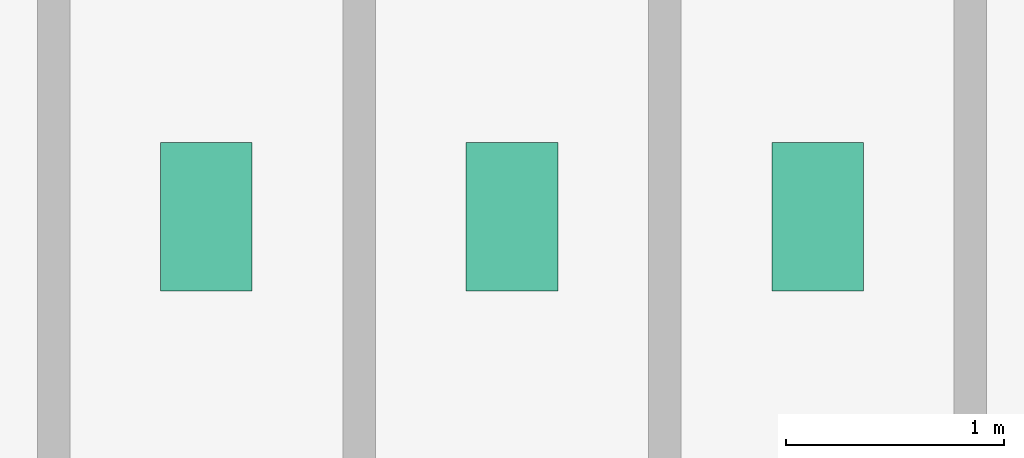
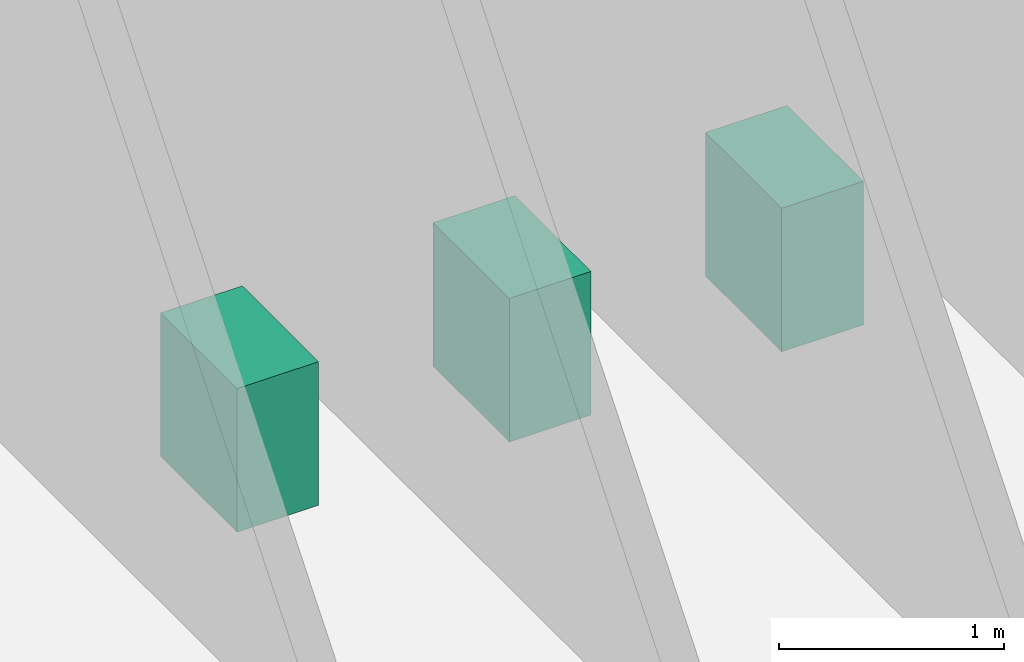
# One storey, part 39 of 39: 3 sanitary terminals.
"""IFC4 building model written with IfcOpenShell, lengths in metres."""

from ifc_helpers import new_model, si_unit, derived_unit, direction, frame, origin, origin_2d, place, context, subcontext, project, spatial, rectangle, extrude, source, transform, mapped, material, type_object, element, save


model = new_model("IFC4")

# Units and contexts
model_context = context("Model", 3, precision=1e-05, world=origin(), true_north=direction((0.0, 1.0)))
body_context = subcontext(model_context, "Body", "Model", "MODEL_VIEW")
ifc_project = project(units=[si_unit("LENGTHUNIT", "METRE"), si_unit("AREAUNIT", "SQUARE_METRE"), si_unit("VOLUMEUNIT", "CUBIC_METRE"), si_unit("PLANEANGLEUNIT", "RADIAN"), si_unit("MASSUNIT", "GRAM", prefix="KILO"), derived_unit("THERMALTRANSMITTANCEUNIT", [(si_unit("POWERUNIT", "WATT"), 1), (si_unit("LENGTHUNIT", "METRE"), -2), (si_unit("THERMODYNAMICTEMPERATUREUNIT", "KELVIN"), -1)])], contexts=[model_context])

# Site, building, storey
site_placement = place(None, origin())
site = spatial("IfcSite", under=ifc_project, at=site_placement, CompositionType="ELEMENT")
building_placement = place(site_placement, origin())
building = spatial("IfcBuilding", under=site, at=building_placement, Name="Skarnbrae Concourse Arena and Tower", CompositionType="ELEMENT")
storey_placement = place(building_placement, frame((0.0, 0.0, 11.0)))
storey = spatial("IfcBuildingStorey", under=building, at=storey_placement, Name="L02", CompositionType="ELEMENT", Elevation=11.0)

# Sanitary terminals
ifc_material = material(Name="Vitreous china sanitaryware", Category="other")
sanitary_terminal_type = type_object("IfcSanitaryTerminalType", Name="SAN-WC-VITREOUS", PredefinedType="TOILETPAN", material=ifc_material)
shared_shape = source(origin(), body_context, "Body", "SweptSolid", [
    extrude(rectangle(XDim=0.419921875, YDim=0.679931640625, at=origin_2d()), origin(), (0.0, 0.0, 1.0), 0.780029296875),
])
for number, where, z_axis, x_axis, name in (
    (1, (44.199951171875, 9.0, 0.0), (0.0, 0.0, 1.0), (1.0, 0.0, 0.0), "L02 Vitreous china WC fixture 1"),
    (2, (45.60009765625, 9.0, 0.0), (0.0, 0.0, 1.0), (1.0, 0.0, 0.0), "L02 Vitreous china WC fixture 2"),
    (3, (47.0, 9.0, 0.0), (0.0, 0.0, 1.0), (1.0, 0.0, 0.0), "L02 Vitreous china WC fixture 3"),
):
    element("IfcSanitaryTerminal", number, at=place(storey_placement, frame(where, z_axis=z_axis, x_axis=x_axis)), inside=storey, type_object=sanitary_terminal_type, Name=name, PredefinedType="TOILETPAN", context=body_context, shape_type="MappedRepresentation", body=[
        mapped(shared_shape, transform((0.0, 0.0, 0.0))),
    ])

save(model, "model.ifc")
